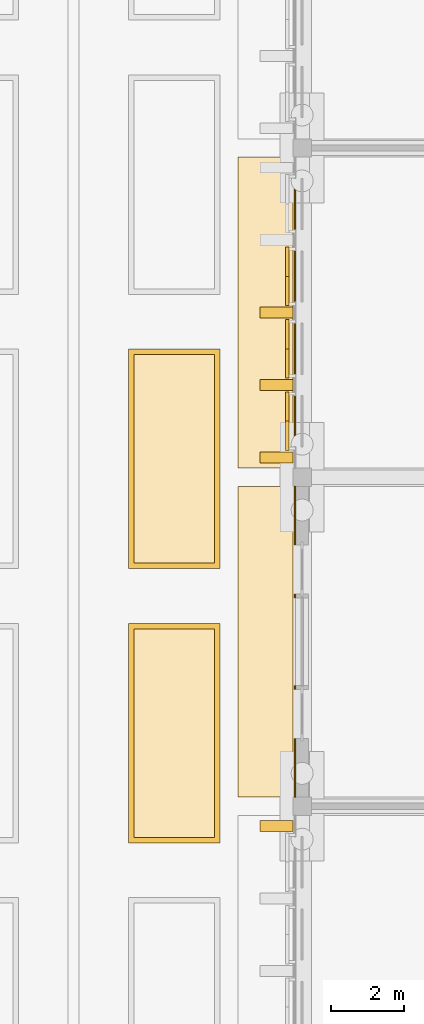
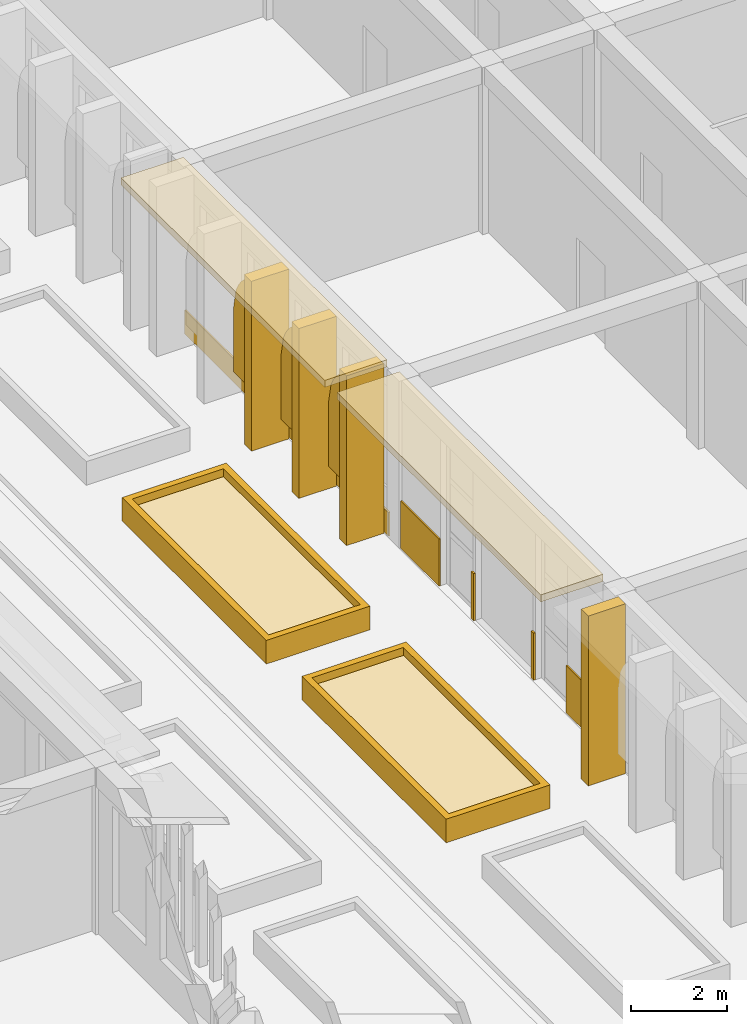
# One storey, part 134 of 161: 15 coverings, 3 shading devices.
"""IFC4 building model written with IfcOpenShell, lengths in metres."""

import ifcopenshell
import ifcopenshell.guid

model = None  # the IFC model being written
_history = None  # IfcOwnerHistory: only IFC2X3 demands one
_inside = {}  # id of a spatial element -> (the spatial element, [elements in it])
_under = {}  # id of a project, library or spatial element -> (it, [spatial elements below it])
_declared = {}  # id of a project -> (the project, [libraries it declares])
_typed = {}  # id of a type object -> (the type object, [elements of that type])
_made_of = {}  # id of a material, layer set ... -> (it, [elements and type objects made of it])


def new_model(schema):
    """Start an empty IFC model of exactly this schema.

    Asked for "IFC4X3", IfcOpenShell would pick the latest addendum, in which some entities
    have other attributes; the version numbers below select the first issue.
    IFC2X3 requires an IfcOwnerHistory on every rooted entity: one is made here for all.
    """
    global model, _history
    if schema == "IFC4X3":
        model = ifcopenshell.file(schema_version=(4, 3, 0, 0))
    else:
        model = ifcopenshell.file(schema=schema)
    _inside.clear()
    _under.clear()
    _declared.clear()
    _typed.clear()
    _made_of.clear()
    _history = None
    if model.schema == "IFC2X3":
        org = make("IfcOrganization", Name="unknown")
        user = make(
            "IfcPersonAndOrganization",
            ThePerson=make("IfcPerson", FamilyName="unknown"),
            TheOrganization=org,
        )
        app = make(
            "IfcApplication",
            ApplicationDeveloper=org,
            Version="unknown",
            ApplicationFullName="unknown",
            ApplicationIdentifier="unknown",
        )
        _history = make(
            "IfcOwnerHistory",
            OwningUser=user,
            OwningApplication=app,
            ChangeAction="ADDED",
            CreationDate=0,
        )
    return model


def make(cls, **values):
    """One entity of the class cls with the attributes given. An attribute that is None is left unset."""
    return model.create_entity(
        cls, **{name: value for name, value in values.items() if value is not None}
    )


def rooted(cls, **values):
    """An entity with a GlobalId (a new one), such as an element, a storey or a relation."""
    return make(cls, GlobalId=ifcopenshell.guid.new(), OwnerHistory=_history, **values)


def si_unit(unit_type, name, prefix=None):
    """IfcSIUnit, for example si_unit("LENGTHUNIT", "METRE", prefix="MILLI")."""
    return make("IfcSIUnit", UnitType=unit_type, Prefix=prefix, Name=name)


def assignment(units):
    """IfcUnitAssignment: the units of a project."""
    return None if units is None else make("IfcUnitAssignment", Units=units)


def point(xyz):
    """IfcCartesianPoint."""
    return None if xyz is None else make("IfcCartesianPoint", Coordinates=xyz)


def direction(xyz):
    """IfcDirection."""
    return None if xyz is None else make("IfcDirection", DirectionRatios=xyz)


def frame(location, z_axis=None, x_axis=None):
    """IfcAxis2Placement3D, a coordinate frame: its origin and axes. An axis left out is left unset."""
    return make(
        "IfcAxis2Placement3D",
        Location=point(location),
        Axis=direction(z_axis),
        RefDirection=direction(x_axis),
    )


def frame_2d(location, x_axis=None):
    """IfcAxis2Placement2D, a coordinate frame in the plane: its origin and x axis."""
    return make(
        "IfcAxis2Placement2D", Location=point(location), RefDirection=direction(x_axis)
    )


def origin():
    """The frame at (0, 0, 0) with its axes left unset."""
    return frame((0.0, 0.0, 0.0))


def origin_2d():
    """The frame at (0, 0) in the plane with its x axis left unset."""
    return frame_2d((0.0, 0.0))


def place(relative_to, where):
    """IfcLocalPlacement: puts the frame where relative to a parent placement (None: the world)."""
    return make(
        "IfcLocalPlacement", PlacementRelTo=relative_to, RelativePlacement=where
    )


def context(
    kind, dimensions, precision=None, world=None, true_north=None, identifier=None
):
    """IfcGeometricRepresentationContext, for example the 3D "Model" context."""
    return make(
        "IfcGeometricRepresentationContext",
        ContextIdentifier=identifier,
        ContextType=kind,
        CoordinateSpaceDimension=dimensions,
        Precision=precision,
        WorldCoordinateSystem=world,
        TrueNorth=true_north,
    )


def subcontext(parent, identifier, kind, view, scale=None):
    """IfcGeometricRepresentationSubContext, for example "Body" below "Model"."""
    return make(
        "IfcGeometricRepresentationSubContext",
        ContextIdentifier=identifier,
        ContextType=kind,
        ParentContext=parent,
        TargetScale=scale,
        TargetView=view,
    )


def project(units=None, contexts=None):
    """IfcProject with its units and contexts."""
    return rooted(
        "IfcProject",
        Name="project",
        RepresentationContexts=contexts,
        UnitsInContext=assignment(units),
    )


def spatial(cls, under=None, at=None, **own):
    """A site, building, storey or space (cls), placed at a placement, below another one or the project."""
    s = rooted(cls, ObjectPlacement=at, **own)
    if under is not None:
        _under.setdefault(under.id(), (under, []))[1].append(s)
    return s


def polyline(points):
    """IfcPolyline through the points."""
    return make("IfcPolyline", Points=[point(p) for p in points])


def profile(cls, at=None, kind="AREA", **sizes):
    """A parametric profile (cls). Its sizes go by their IFC names, for example OverallWidth=200.0."""
    return make(cls, ProfileType=kind, Position=at, **sizes)


def rectangle(**sizes):
    """IfcRectangleProfileDef."""
    return profile("IfcRectangleProfileDef", **sizes)


def outline(outer, holes=None, kind="AREA"):
    """IfcArbitraryClosedProfileDef: a profile drawn as a closed curve; with holes, ...WithVoids."""
    if holes is None:
        return make("IfcArbitraryClosedProfileDef", ProfileType=kind, OuterCurve=outer)
    return make(
        "IfcArbitraryProfileDefWithVoids",
        ProfileType=kind,
        OuterCurve=outer,
        InnerCurves=holes,
    )


def extrude(swept, where, along, depth):
    """IfcExtrudedAreaSolid: the profile swept, set in the frame where, extruded along a direction by depth."""
    return make(
        "IfcExtrudedAreaSolid",
        SweptArea=swept,
        Position=where,
        ExtrudedDirection=direction(along),
        Depth=depth,
    )


def shape(context_of_items, identifier, shape_type, items):
    """IfcShapeRepresentation: the items that make up one representation, for example the "Body"."""
    return make(
        "IfcShapeRepresentation",
        ContextOfItems=context_of_items,
        RepresentationIdentifier=identifier,
        RepresentationType=shape_type,
        Items=items,
    )


def material(Name=None, Category=None):
    """IfcMaterial."""
    return make("IfcMaterial", Name=Name, Category=Category)


def layer(
    of_material, thickness, ventilated=None, Name=None, Category=None, Priority=None
):
    """IfcMaterialLayer: one layer of a wall or slab, of a material (None: an air gap)."""
    return make(
        "IfcMaterialLayer",
        Material=of_material,
        LayerThickness=thickness,
        IsVentilated=ventilated,
        Name=Name,
        Category=Category,
        Priority=Priority,
    )


def layer_set(layers, Name=None):
    """IfcMaterialLayerSet."""
    return make("IfcMaterialLayerSet", MaterialLayers=layers, LayerSetName=Name)


def made_of(thing, what):
    """Note that an element or type object is made of a material, layer set ...; save() writes the relation."""
    if what is not None:
        _made_of.setdefault(what.id(), (what, []))[1].append(thing)
    return thing


def type_object(cls, material=None, **own):
    """A type object (cls), such as IfcWallType, which elements share."""
    return made_of(rooted(cls, **own), material)


def element(
    cls,
    number,
    at=None,
    inside=None,
    cuts=None,
    type_object=None,
    material=None,
    context=None,
    identifier="Body",
    shape_type=None,
    held_by="IfcProductDefinitionShape",
    body=None,
    shapes=None,
    **own,
):
    """One element of the class cls, such as IfcWall. Its Tag is "e" and its number.

    at: its placement. inside: the storey or other place that contains it. cuts: it is an
    opening in that element (IfcRelVoidsElement). A single representation is given by context,
    identifier, shape_type and body (its items); several are given by shapes. held_by: the class
    of the entity that holds the representations. save() writes the other relations.
    """
    e = rooted(cls, Tag="e%d" % number, ObjectPlacement=at, **own)
    if body is not None:
        shapes = [shape(context, identifier, shape_type, body)]
    if shapes is not None:
        e.Representation = make(held_by, Representations=shapes)
    if inside is not None:
        _inside.setdefault(inside.id(), (inside, []))[1].append(e)
    if cuts is not None:
        rooted(
            "IfcRelVoidsElement", RelatingBuildingElement=cuts, RelatedOpeningElement=e
        )
    if type_object is not None:
        _typed.setdefault(type_object.id(), (type_object, []))[1].append(e)
    return made_of(e, material)


def aggregate(whole, parts):
    """IfcRelAggregates: a whole, such as a stair, and the parts it consists of."""
    return rooted("IfcRelAggregates", RelatingObject=whole, RelatedObjects=parts)


def save(model, path):
    """Write the relations noted so far, then the file.

    IfcRelAggregates (storeys below a building ...), IfcRelContainedInSpatialStructure (elements
    in a storey), IfcRelDefinesByType, IfcRelAssociatesMaterial and IfcRelDeclares: one each for
    every whole, place, type object, material and project.
    """
    for whole, parts in _under.values():
        aggregate(whole, parts)
    for where, things in _inside.values():
        rooted(
            "IfcRelContainedInSpatialStructure",
            RelatedElements=things,
            RelatingStructure=where,
        )
    for kind, things in _typed.values():
        rooted("IfcRelDefinesByType", RelatedObjects=things, RelatingType=kind)
    for what, things in _made_of.values():
        rooted("IfcRelAssociatesMaterial", RelatedObjects=things, RelatingMaterial=what)
    for by, libraries in _declared.values():
        rooted("IfcRelDeclares", RelatingContext=by, RelatedDefinitions=libraries)
    model.write(path)


model = new_model("IFC4")

# Units and contexts
model_context = context("Model", 3, precision=1e-05, world=origin(), true_north=direction((0.0, 1.0)))
body_context = subcontext(model_context, "Body", "Model", "MODEL_VIEW")
ifc_project = project(units=[si_unit("LENGTHUNIT", "METRE"), si_unit("AREAUNIT", "SQUARE_METRE"), si_unit("VOLUMEUNIT", "CUBIC_METRE"), si_unit("PLANEANGLEUNIT", "RADIAN"), si_unit("MASSUNIT", "GRAM", prefix="KILO")], contexts=[model_context])

# Site, building, storey
site_placement = place(None, origin())
site = spatial("IfcSite", under=ifc_project, at=site_placement, CompositionType="ELEMENT")
building_placement = place(site_placement, origin())
building = spatial("IfcBuilding", under=site, at=building_placement, Name="Elbe Cascade School", CompositionType="ELEMENT")
storey_placement = place(building_placement, origin())
storey = spatial("IfcBuildingStorey", under=building, at=storey_placement, Name="L00", CompositionType="ELEMENT", Elevation=0.0)

# Shading devices
ifc_material_1 = material(Name="Precast concrete C40/50", Category="concrete")
ifc_layer_1 = layer(ifc_material_1, 0.10009765625)
ifc_layer_set_1 = layer_set([ifc_layer_1], Name="Precast concrete C40/50")
shading_device_type = type_object("IfcShadingDeviceType", Name="Bars envelope Jali screen 1600 x 2840, pointed arch rise 1200, pierced precast concrete", PredefinedType="USERDEFINED", material=ifc_layer_set_1)
shading_device_placement = place(storey_placement, frame((157.340087890625, 33.72998046875, 2.239990234375), z_axis=(-1.0, 0.0, 0.0), x_axis=(0.0, 0.196300278283, 0.98054382908)))
element("IfcShadingDevice", 1, at=shading_device_placement, inside=storey, type_object=shading_device_type, Name="Jali screen SD3 D.L00.w4.1", ObjectType="JALI", PredefinedType="USERDEFINED", context=body_context, shape_type="SweptSolid", body=[
    extrude(outline(polyline([(0.0, 0.0), (0.509921112317134, 0.0), (0.7186409460062186, 0.06005009918221829), (0.8735458233318658, 0.1311226852889124), (0.9982395622926888, 0.20799441476340969), (1.102872417131342, 0.2891312241218946), (1.1919448840573539, 0.37338315020117196), (1.268281725197354, 0.45993570394643946), (1.3336545243794973, 0.5489321924158467), (1.3075321958793382, 0.6559965916457164), (1.270445825421322, 0.7655049255997259), (1.220671754049922, 0.877553277802997), (1.155289369893253, 0.9924773561437888), (1.069846101614414, 1.1116665143685687), (0.9541916949707512, 1.2366548159611515), (0.7847223319636507, 1.37266560447821), (0.31409961520112845, 1.5689658827607584), (-1.2938869326328684, 1.8908772522001815), (-1.6079865478339967, 0.32191136943942317), (0.0, 0.0)])), origin(), (0.0, 0.0, -1.0), 0.10009765625),
])
for number, where, z_axis, x_axis, name in (
    (2, (157.340087890625, 35.7099609375, 2.239990234375), (-1.0, 0.0, 0.0), (0.0, 0.196300278283, 0.98054382908), "Jali screen SD3 D.L00.w4.2"),
    (3, (157.340087890625, 37.68994140625, 2.239990234375), (-1.0, 0.0, 0.0), (0.0, 0.196300278283, 0.98054382908), "Jali screen SD3 D.L00.w4.3"),
):
    element("IfcShadingDevice", number, at=place(storey_placement, frame(where, z_axis=z_axis, x_axis=x_axis)), inside=storey, type_object=shading_device_type, Name=name, ObjectType="JALI", PredefinedType="USERDEFINED", context=body_context, shape_type="SweptSolid", body=[
        extrude(outline(polyline([(0.0, 0.0), (0.509921112317134, 0.0), (0.7186409460062186, 0.06005009918221829), (0.8735458233318658, 0.1311226852889124), (0.9982874871653163, 0.20823380534668107), (1.102872417131342, 0.2891312241218946), (1.1919448840573539, 0.37338315020117196), (1.268281725197354, 0.45993570394643946), (1.3336545243794973, 0.5489321924158467), (1.3075801207519657, 0.6562359822289878), (1.270445825421322, 0.7655049255997259), (1.220671754049922, 0.877553277802997), (1.155289369893253, 0.9924773561437888), (1.069846101614414, 1.1116665143685687), (0.9542396198433787, 1.2368942065444228), (0.7847223319636507, 1.37266560447821), (0.31409961520112845, 1.5689658827607584), (-1.2938869326328684, 1.8908772522001815), (-1.6079865478339967, 0.32191136943942317), (0.0, 0.0)])), origin(), (0.0, 0.0, -1.0), 0.10009765625),
    ])

# Coverings
ifc_material_2 = material(Name="Sandstone - red", Category="masonry")
ifc_layer_2 = layer(ifc_material_2, 0.0400390625)
ifc_layer_set_2 = layer_set([ifc_layer_2], Name="Sandstone - red")
covering_type_1 = type_object("IfcCoveringType", Name="Bars envelope Sandstone cladding, red, 40 mm", PredefinedType="CLADDING", material=ifc_layer_set_2)
covering_1_placement = place(storey_placement, frame((157.60009765625, 25.050048828125, 0.0), z_axis=(0.0, 0.0, 1.0), x_axis=(0.0, 1.0, 0.0)))
element("IfcCovering", 4, at=covering_1_placement, inside=storey, type_object=covering_type_1, Name="Sandstone cladding CV48 D.L00.w.3a.1", PredefinedType="CLADDING", context=body_context, shape_type="SweptSolid", body=[
    extrude(rectangle(XDim=1.60009765625, YDim=0.0400390625, at=origin_2d()), origin(), (0.0, 0.0, 1.0), 1.199951171875),
])
for number, where, z_axis, x_axis, name in (
    (5, (157.60009765625, 27.25, 0.0), (0.0, 0.0, 1.0), (0.0, 1.0, 0.0), "Sandstone cladding CV48 D.L00.w.3b.1"),
    (6, (157.60009765625, 29.75, 0.0), (0.0, 0.0, 1.0), (0.0, 1.0, 0.0), "Sandstone cladding CV48 D.L00.w.3b.2"),
):
    element("IfcCovering", number, at=place(storey_placement, frame(where, z_axis=z_axis, x_axis=x_axis)), inside=storey, type_object=covering_type_1, Name=name, PredefinedType="CLADDING", context=body_context, shape_type="SweptSolid", body=[
        extrude(rectangle(XDim=0.10009765625, YDim=0.0400390625, at=origin_2d()), origin(), (0.0, 0.0, 1.0), 1.199951171875),
    ])
covering_2_placement = place(storey_placement, frame((157.60009765625, 31.949951171875, 0.0), z_axis=(0.0, 0.0, 1.0), x_axis=(0.0, 1.0, 0.0)))
element("IfcCovering", 7, at=covering_2_placement, inside=storey, type_object=covering_type_1, Name="Sandstone cladding CV48 D.L00.w.3c.1", PredefinedType="CLADDING", context=body_context, shape_type="SweptSolid", body=[
    extrude(rectangle(XDim=1.60009765625, YDim=0.0400390625, at=origin_2d()), origin(), (0.0, 0.0, 1.0), 1.199951171875),
])
covering_3_placement = place(storey_placement, frame((157.60009765625, 37.5, 0.0), z_axis=(0.0, 0.0, 1.0), x_axis=(0.0, 1.0, 0.0)))
element("IfcCovering", 8, at=covering_3_placement, inside=storey, type_object=covering_type_1, Name="Sandstone cladding CV48 D.L00.w.4.1", PredefinedType="CLADDING", context=body_context, shape_type="SweptSolid", body=[
    extrude(rectangle(XDim=8.5, YDim=0.0400390625, at=origin_2d()), origin(), (0.0, 0.0, 1.0), 0.60009765625),
])
ifc_material_3 = material(Name="Sandstone - red", Category="masonry")
covering_type_2 = type_object("IfcCoveringType", Name="Bars envelope Sandstone gallery canopy, 1500 deep", PredefinedType="CLADDING", material=ifc_material_3)
for number, where, z_axis, x_axis, name in (
    (9, (156.800048828125, 28.5, 4.31982421875), (0.0, 0.0, 1.0), (0.0, 1.0, 0.0), "Gallery canopy CV73 D.w2"),
    (10, (156.800048828125, 37.5, 4.31982421875), (0.0, 0.0, 1.0), (0.0, 1.0, 0.0), "Gallery canopy CV73 D.w3"),
):
    element("IfcCovering", number, at=place(storey_placement, frame(where, z_axis=z_axis, x_axis=x_axis)), inside=storey, type_object=covering_type_2, Name=name, PredefinedType="CLADDING", context=body_context, shape_type="SweptSolid", body=[
        extrude(rectangle(XDim=8.5, YDim=1.5, at=origin_2d()), origin(), (0.0, 0.0, 1.0), 0.179931640625),
    ])
ifc_material_4 = material(Name="Sandstone - red", Category="masonry")
covering_type_3 = type_object("IfcCoveringType", Name="Bars envelope Sandstone gallery fin, 300 wide, 900 deep", PredefinedType="CLADDING", material=ifc_material_4)
for number, where, z_axis, x_axis, name in (
    (11, (157.10009765625, 23.4599609375, 0.0), (0.0, 0.0, 1.0), (0.0, 1.0, 0.0), "Gallery fin CV74 D.w1.5"),
    (12, (157.10009765625, 33.5400390625, 0.0), (0.0, 0.0, 1.0), (0.0, 1.0, 0.0), "Gallery fin CV74 D.w3.1"),
    (13, (157.10009765625, 35.52001953125, 0.0), (0.0, 0.0, 1.0), (0.0, 1.0, 0.0), "Gallery fin CV74 D.w3.2"),
    (14, (157.10009765625, 37.5, 0.0), (0.0, 0.0, 1.0), (0.0, 1.0, 0.0), "Gallery fin CV74 D.w3.3"),
):
    element("IfcCovering", number, at=place(storey_placement, frame(where, z_axis=z_axis, x_axis=x_axis)), inside=storey, type_object=covering_type_3, Name=name, PredefinedType="CLADDING", context=body_context, shape_type="SweptSolid", body=[
        extrude(rectangle(XDim=0.300048828125, YDim=0.89990234375, at=origin_2d()), origin(), (0.0, 0.0, 1.0), 4.320068359375),
    ])
ifc_material_5 = material(Name="Planting - soil and shrubs", Category="soil")
ifc_layer_3 = layer(ifc_material_5, 0.39990234375)
ifc_layer_set_3 = layer_set([ifc_layer_3], Name="Planting - soil and shrubs")
covering_type_4 = type_object("IfcCoveringType", Name="Site planting bed 400", PredefinedType="USERDEFINED", material=ifc_layer_set_3)
covering_4_placement = place(storey_placement, origin())
element("IfcCovering", 15, at=covering_4_placement, inside=storey, type_object=covering_type_4, Name="Court C-D planting bed east 3", ObjectType="PLANTING BED", PredefinedType="USERDEFINED", context=body_context, shape_type="SweptSolid", body=[
    extrude(outline(polyline([(153.199951171875, 23.14990234375), (155.39990234375, 23.14990234375), (155.39990234375, 28.85009765625), (153.199951171875, 28.85009765625), (153.199951171875, 23.14990234375)])), origin(), (0.0, 0.0, 1.0), 0.39990234375),
])
covering_5_placement = place(storey_placement, origin())
element("IfcCovering", 16, at=covering_5_placement, inside=storey, type_object=covering_type_4, Name="Court C-D planting bed east 4", ObjectType="PLANTING BED", PredefinedType="USERDEFINED", context=body_context, shape_type="SweptSolid", body=[
    extrude(outline(polyline([(153.199951171875, 30.64990234375), (155.39990234375, 30.64990234375), (155.39990234375, 36.35009765625), (153.199951171875, 36.35009765625), (153.199951171875, 30.64990234375)])), origin(), (0.0, 0.0, 1.0), 0.39990234375),
])
ifc_material_6 = material(Name="Concrete C30/37 precast kerb", Category="concrete")
ifc_layer_4 = layer(ifc_material_6, 0.14990234375)
ifc_layer_set_4 = layer_set([ifc_layer_4], Name="Concrete C30/37 precast kerb")
covering_type_5 = type_object("IfcCoveringType", Name="Site planting bed kerb 150x600", PredefinedType="CLADDING", material=ifc_layer_set_4)
covering_6_placement = place(storey_placement, origin())
element("IfcCovering", 17, at=covering_6_placement, inside=storey, type_object=covering_type_5, Name="Court C-D planting bed kerb east 3", PredefinedType="CLADDING", context=body_context, shape_type="SweptSolid", body=[
    extrude(outline(polyline([(153.050048828125, 23.0), (155.550048828125, 23.0), (155.550048828125, 29.0), (153.050048828125, 29.0), (153.050048828125, 23.0)]), holes=[polyline([(153.199951171875, 23.14990234375), (155.39990234375, 23.14990234375), (155.39990234375, 28.85009765625), (153.199951171875, 28.85009765625), (153.199951171875, 23.14990234375)])]), origin(), (0.0, 0.0, 1.0), 0.60009765625),
])
covering_7_placement = place(storey_placement, origin())
element("IfcCovering", 18, at=covering_7_placement, inside=storey, type_object=covering_type_5, Name="Court C-D planting bed kerb east 4", PredefinedType="CLADDING", context=body_context, shape_type="SweptSolid", body=[
    extrude(outline(polyline([(153.050048828125, 30.5), (155.550048828125, 30.5), (155.550048828125, 36.5), (153.050048828125, 36.5), (153.050048828125, 30.5)]), holes=[polyline([(153.199951171875, 30.64990234375), (155.39990234375, 30.64990234375), (155.39990234375, 36.35009765625), (153.199951171875, 36.35009765625), (153.199951171875, 30.64990234375)])]), origin(), (0.0, 0.0, 1.0), 0.60009765625),
])

save(model, "model.ifc")
